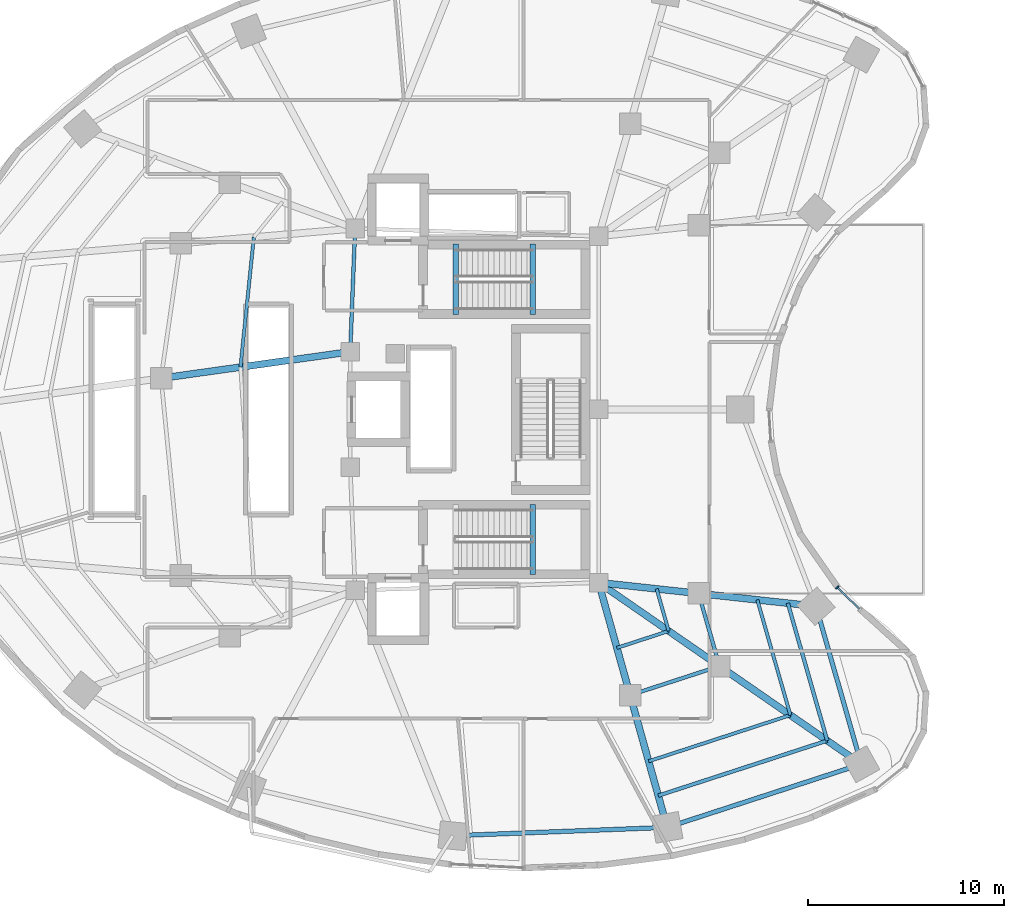
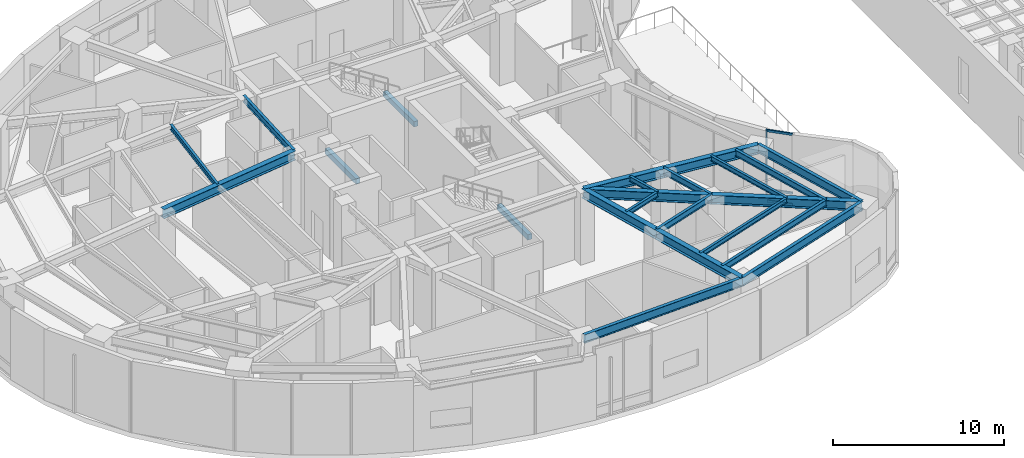
# One storey, part 4 of 19: 23 beams, 4 members, 1 element without a shape of its own.
"""IFC4 building model written with IfcOpenShell, lengths in metres."""

from ifc_helpers import new_model, si_unit, direction, frame, origin, origin_2d, place, context, subcontext, project, spatial, rectangle, i_section, extrude, material, layer, layer_set, material_profile, profile_set, type_object, element, aggregate, save


model = new_model("IFC4")

# Units and contexts
model_context = context("Model", 3, precision=1e-05, world=origin(), true_north=direction((0.0, 1.0)))
body_context = subcontext(model_context, "Body", "Model", "MODEL_VIEW")
ifc_project = project(units=[si_unit("LENGTHUNIT", "METRE"), si_unit("AREAUNIT", "SQUARE_METRE"), si_unit("VOLUMEUNIT", "CUBIC_METRE"), si_unit("PLANEANGLEUNIT", "RADIAN"), si_unit("MASSUNIT", "GRAM", prefix="KILO")], contexts=[model_context])

# Site, building, storey
site_placement = place(None, origin())
site = spatial("IfcSite", under=ifc_project, at=site_placement, CompositionType="ELEMENT")
building_placement = place(site_placement, origin())
building = spatial("IfcBuilding", under=site, at=building_placement, Name="Korentha Bioscience Tower", CompositionType="ELEMENT")
storey_placement = place(building_placement, frame((0.0, 0.0, 20.39990234375)))
storey = spatial("IfcBuildingStorey", under=building, at=storey_placement, Name="L04", CompositionType="ELEMENT", Elevation=20.39990234375)

# Beams
ifc_material_1 = material(Name="Concrete C50", Category="concrete")
ifc_material_profile_1 = material_profile(ifc_material_1, rectangle(XDim=0.280029296875, YDim=0.3798828125, at=origin_2d()), Name="Concrete C50")
ifc_profile_set_1 = profile_set([ifc_material_profile_1], Name="Concrete C50 (ST-HB380)")
beam_type_1 = type_object("IfcBeamType", Name="Concrete Stair Header Beam RC 280x380", PredefinedType="BEAM", material=ifc_profile_set_1)
for number, where, z_axis, x_axis, name in (
    (1, (30.25, 31.85009765625, -0.18994140625), (0.0, 1.0, 0.0), (-1.0, 0.0, 0.0), "L04 ST-1 Concrete Stair Header Beam"),
    (2, (34.169921875, 31.85009765625, 2.510009765625), (0.0, 1.0, 0.0), (-1.0, 0.0, 0.0), "L04 ST-1 Half-Landing Header Beam 1"),
    (3, (34.169921875, 18.550048828125, 2.510009765625), (0.0, 1.0, 0.0), (-1.0, 0.0, 0.0), "L04 ST-2 Half-Landing Header Beam 1"),
):
    element("IfcBeam", number, at=place(storey_placement, frame(where, z_axis=z_axis, x_axis=x_axis)), inside=storey, type_object=beam_type_1, Name=name, PredefinedType="BEAM", context=body_context, shape_type="SweptSolid", body=[
        extrude(rectangle(XDim=0.280029296875, YDim=0.3798828125, at=origin_2d()), origin(), (0.0, 0.0, 1.0), 3.599853515625),
    ])
ifc_material_2 = material(Name="Steel S355", Category="steel")
ifc_material_profile_2 = material_profile(ifc_material_2, i_section(OverallWidth=0.18994140625, OverallDepth=0.45703125, WebThickness=0.009033203125, FlangeThickness=0.014404296875, at=origin_2d()), Name="Steel S355")
ifc_profile_set_2 = profile_set([ifc_material_profile_2], Name="Steel S355 (MB-460)")
beam_type_2 = type_object("IfcBeamType", Name="Mid-Ring Tie Girder W460x74", PredefinedType="BEAM", material=ifc_profile_set_2)
beam_1_placement = place(storey_placement, frame((39.1611328125, 12.392333984375, 4.87158203125), z_axis=(0.950877001105, 0.309568940253, 0.0), x_axis=(-0.309568940253, 0.950877001105, 0.0)))
element("IfcBeam", 4, at=beam_1_placement, inside=storey, type_object=beam_type_2, Name="L04 Mid-Ring Tie Girder 12", PredefinedType="BEAM", context=body_context, shape_type="SweptSolid", body=[
    extrude(i_section(OverallWidth=0.18994140625, OverallDepth=0.45703125, WebThickness=0.009033203125, FlangeThickness=0.014404296875, at=origin_2d()), origin(), (0.0, 0.0, 1.0), 4.80126953125),
])
beam_2_placement = place(storey_placement, frame((43.7265625, 13.878662109375, 4.87158203125), z_axis=(-0.27560557792, 0.961270807535, 0.0), x_axis=(-0.961270807535, -0.27560557792, 0.0)))
element("IfcBeam", 5, at=beam_2_placement, inside=storey, type_object=beam_type_2, Name="L04 Mid-Ring Tie Girder 13", PredefinedType="BEAM", context=body_context, shape_type="SweptSolid", body=[
    extrude(i_section(OverallWidth=0.18994140625, OverallDepth=0.45703125, WebThickness=0.009033203125, FlangeThickness=0.014404296875, at=origin_2d()), origin(), (0.0, 0.0, 1.0), 3.864013671875),
])
beam_3_placement = place(storey_placement, frame((25.10009765625, 36.25, 4.87158203125), z_axis=(-0.039651025576, -0.999213588864, 0.0), x_axis=(0.999213588864, -0.039651025576, 0.0)))
element("IfcBeam", 6, at=beam_3_placement, inside=storey, type_object=beam_type_2, Name="L04 Core Ring Tie Girder 02", PredefinedType="BEAM", context=body_context, shape_type="SweptSolid", body=[
    extrude(i_section(OverallWidth=0.18994140625, OverallDepth=0.45703125, WebThickness=0.009033203125, FlangeThickness=0.014404296875, at=origin_2d()), origin(), (0.0, 0.0, 1.0), 6.304931640625),
])

# Curtain wall, member
ifc_material_3 = material(Name="Stone-Clad Aluminium Frame", Category="masonry")
ifc_layer = layer(ifc_material_3, 0.219970703125, Name="Stone-Clad Aluminium Frame")
ifc_layer_set = layer_set([ifc_layer], Name="Stone-Clad Aluminium Frame (CW-P1)")
curtain_wall_type = type_object("IfcCurtainWallType", Name="Podium Double-Height Stone-Mullion Curtain Wall CW-P1", PredefinedType="USERDEFINED", material=ifc_layer_set)
curtain_wall_placement = place(storey_placement, origin())
curtain_wall = element("IfcCurtainWall", 7, at=curtain_wall_placement, inside=storey, type_object=curtain_wall_type, Name="L04 Curtain Wall 43", ObjectType="UNITISED", PredefinedType="USERDEFINED")
ifc_material_4 = material(Name="Anodised Aluminium 6063-T6", Category="aluminium")
ifc_material_profile_3 = material_profile(ifc_material_4, rectangle(XDim=0.090087890625, YDim=0.199951171875, at=origin_2d()), Name="Anodised Aluminium 6063-T6")
ifc_profile_set_3 = profile_set([ifc_material_profile_3], Name="Anodised Aluminium 6063-T6 (CW-MUL)")
member_type_1 = type_object("IfcMemberType", Name="Mullion RECT 90x200", PredefinedType="MULLION", material=ifc_profile_set_3)
member_1_placement = place(storey_placement, frame((49.752685546875, 17.90625, 0.0), z_axis=(0.0, 0.0, 1.0), x_axis=(-0.713279246754, 0.700879958445, 0.0)))
member_1 = element("IfcMember", 8, at=member_1_placement, type_object=member_type_1, Name="CW-L04-43 Mullion 2", PredefinedType="MULLION", context=body_context, shape_type="SweptSolid", body=[
    extrude(rectangle(XDim=0.090087890625, YDim=0.199951171875, at=origin_2d()), origin(), (0.0, 0.0, 1.0), 5.10009765625),
])

# Beams
ifc_material_profile_4 = material_profile(ifc_material_2, i_section(OverallWidth=0.22802734375, OverallDepth=0.60791015625, WebThickness=0.01123046875, FlangeThickness=0.017333984375, at=origin_2d()), Name="Steel S355")
ifc_profile_set_4 = profile_set([ifc_material_profile_4], Name="Steel S355 (SB-610)")
beam_type_3 = type_object("IfcBeamType", Name="Perimeter Ring Spandrel Girder W610x113", PredefinedType="SPANDREL", material=ifc_profile_set_4)
beam_4_placement = place(storey_placement, frame((30.09423828125, 5.20751953125, 4.796142578125), z_axis=(0.999246003889, 0.03882555488, 0.0), x_axis=(-0.03882555488, 0.999246003889, 0.0)))
element("IfcBeam", 9, at=beam_4_placement, inside=storey, type_object=beam_type_3, Name="L04 Perimeter Spandrel Girder 11", PredefinedType="SPANDREL", context=body_context, shape_type="SweptSolid", body=[
    extrude(i_section(OverallWidth=0.22802734375, OverallDepth=0.60791015625, WebThickness=0.01123046875, FlangeThickness=0.017333984375, at=origin_2d()), origin(), (0.0, 0.0, 1.0), 10.966552734375),
])
beam_5_placement = place(storey_placement, frame((41.052490234375, 5.63330078125, 4.796142578125), z_axis=(0.95087511444, 0.309574735305, 0.0), x_axis=(-0.309574735305, 0.95087511444, 0.0)))
element("IfcBeam", 10, at=beam_5_placement, inside=storey, type_object=beam_type_3, Name="L04 Perimeter Spandrel Girder 12", PredefinedType="SPANDREL", context=body_context, shape_type="SweptSolid", body=[
    extrude(i_section(OverallWidth=0.22802734375, OverallDepth=0.60791015625, WebThickness=0.01123046875, FlangeThickness=0.017333984375, at=origin_2d()), origin(), (0.0, 0.0, 1.0), 10.4375),
])
beam_6_placement = place(storey_placement, frame((50.977294921875, 8.864501953125, 4.796142578125), z_axis=(-0.275642273411, 0.961260285827, 0.0), x_axis=(-0.961260285827, -0.275642273411, 0.0)))
element("IfcBeam", 11, at=beam_6_placement, inside=storey, type_object=beam_type_3, Name="L04 Perimeter Spandrel Girder 13", PredefinedType="SPANDREL", context=body_context, shape_type="SweptSolid", body=[
    extrude(i_section(OverallWidth=0.22802734375, OverallDepth=0.60791015625, WebThickness=0.01123046875, FlangeThickness=0.017333984375, at=origin_2d()), origin(), (0.0, 0.0, 1.0), 8.400146484375),
])
ifc_material_profile_5 = material_profile(ifc_material_2, i_section(OverallWidth=0.18994140625, OverallDepth=0.45703125, WebThickness=0.009033203125, FlangeThickness=0.014404296875, at=origin_2d()), Name="Steel S355")
ifc_profile_set_5 = profile_set([ifc_material_profile_5], Name="Steel S355 (RB-460)")
beam_type_4 = type_object("IfcBeamType", Name="Radial Laboratory Beam W460x74", PredefinedType="BEAM", material=ifc_profile_set_5)
beam_7_placement = place(storey_placement, frame((40.5986328125, 7.255615234375, 4.87158203125), z_axis=(0.95087437499, 0.309577006554, 0.0), x_axis=(-0.309577006554, 0.95087437499, 0.0)))
element("IfcBeam", 12, at=beam_7_placement, inside=storey, type_object=beam_type_4, Name="L04 Secondary Floor Beam JSTO-12", PredefinedType="BEAM", context=body_context, shape_type="SweptSolid", body=[
    extrude(i_section(OverallWidth=0.18994140625, OverallDepth=0.45703125, WebThickness=0.009033203125, FlangeThickness=0.014404296875, at=origin_2d()), origin(), (0.0, 0.0, 1.0), 9.0849609375),
])
beam_8_placement = place(storey_placement, frame((49.2373046875, 10.068115234375, 4.87158203125), z_axis=(-0.275682421415, 0.961248772443, 0.0), x_axis=(-0.961248772443, -0.275682421415, 0.0)))
element("IfcBeam", 13, at=beam_8_placement, inside=storey, type_object=beam_type_4, Name="L04 Secondary Floor Beam JSTO-13", PredefinedType="BEAM", context=body_context, shape_type="SweptSolid", body=[
    extrude(i_section(OverallWidth=0.18994140625, OverallDepth=0.45703125, WebThickness=0.009033203125, FlangeThickness=0.014404296875, at=origin_2d()), origin(), (0.0, 0.0, 1.0), 7.3115234375),
])
ifc_material_profile_6 = material_profile(ifc_material_2, i_section(OverallWidth=0.35009765625, OverallDepth=0.64990234375, WebThickness=0.01611328125, FlangeThickness=0.02490234375, at=origin_2d()), Name="Steel S355")
ifc_profile_set_6 = profile_set([ifc_material_profile_6], Name="Steel S355 (RB-650)")
beam_type_5 = type_object("IfcBeamType", Name="Radial Laboratory Girder CVS 650x208", PredefinedType="BEAM", material=ifc_profile_set_6)
beam_9_placement = place(storey_placement, frame((24.85009765625, 29.949951171875, 4.775146484375), z_axis=(-0.990307253072, -0.138894004596, 0.0), x_axis=(0.138894004596, -0.990307253072, 0.0)))
element("IfcBeam", 14, at=beam_9_placement, inside=storey, type_object=beam_type_5, Name="L04 Inner Radial Girder 07", PredefinedType="BEAM", context=body_context, shape_type="SweptSolid", body=[
    extrude(i_section(OverallWidth=0.35009765625, OverallDepth=0.64990234375, WebThickness=0.01611328125, FlangeThickness=0.02490234375, at=origin_2d()), origin(), (0.0, 0.0, 1.0), 9.76611328125),
])
beam_10_placement = place(storey_placement, frame((37.550048828125, 18.14990234375, 4.775146484375), z_axis=(0.269469369205, -0.963008961049, 0.0), x_axis=(0.963008961049, 0.269469369205, 0.0)))
element("IfcBeam", 15, at=beam_10_placement, inside=storey, type_object=beam_type_5, Name="L04 Inner Radial Girder 12", PredefinedType="BEAM", context=body_context, shape_type="SweptSolid", body=[
    extrude(i_section(OverallWidth=0.35009765625, OverallDepth=0.64990234375, WebThickness=0.01611328125, FlangeThickness=0.02490234375, at=origin_2d()), origin(), (0.0, 0.0, 1.0), 5.978759765625),
])
beam_11_placement = place(storey_placement, frame((39.1611328125, 12.392333984375, 4.775146484375), z_axis=(0.269475095129, -0.963007358801, 0.0), x_axis=(0.963007358801, 0.269475095129, 0.0)))
element("IfcBeam", 16, at=beam_11_placement, inside=storey, type_object=beam_type_5, Name="L04 Outer Radial Girder 12", PredefinedType="BEAM", context=body_context, shape_type="SweptSolid", body=[
    extrude(i_section(OverallWidth=0.35009765625, OverallDepth=0.64990234375, WebThickness=0.01611328125, FlangeThickness=0.02490234375, at=origin_2d()), origin(), (0.0, 0.0, 1.0), 7.0185546875),
])
beam_12_placement = place(storey_placement, frame((37.550048828125, 18.14990234375, 4.775146484375), z_axis=(0.822491697625, -0.568777115694, 0.0), x_axis=(0.568777115694, 0.822491697625, 0.0)))
element("IfcBeam", 17, at=beam_12_placement, inside=storey, type_object=beam_type_5, Name="L04 Inner Radial Girder 13", PredefinedType="BEAM", context=body_context, shape_type="SweptSolid", body=[
    extrude(i_section(OverallWidth=0.35009765625, OverallDepth=0.64990234375, WebThickness=0.01611328125, FlangeThickness=0.02490234375, at=origin_2d()), origin(), (0.0, 0.0, 1.0), 7.509521484375),
])
beam_13_placement = place(storey_placement, frame((43.7265625, 13.878662109375, 4.775146484375), z_axis=(0.822488186113, -0.568782193555, 0.0), x_axis=(0.568782193555, 0.822488186113, 0.0)))
element("IfcBeam", 18, at=beam_13_placement, inside=storey, type_object=beam_type_5, Name="L04 Outer Radial Girder 13", PredefinedType="BEAM", context=body_context, shape_type="SweptSolid", body=[
    extrude(i_section(OverallWidth=0.35009765625, OverallDepth=0.64990234375, WebThickness=0.01611328125, FlangeThickness=0.02490234375, at=origin_2d()), origin(), (0.0, 0.0, 1.0), 8.815673828125),
])
beam_14_placement = place(storey_placement, frame((37.550048828125, 18.14990234375, 4.775146484375), z_axis=(0.994117709144, -0.10830503389, 0.0), x_axis=(0.10830503389, 0.994117709144, 0.0)))
element("IfcBeam", 19, at=beam_14_placement, inside=storey, type_object=beam_type_5, Name="L04 Inner Radial Girder 14", PredefinedType="BEAM", context=body_context, shape_type="SweptSolid", body=[
    extrude(i_section(OverallWidth=0.35009765625, OverallDepth=0.64990234375, WebThickness=0.01611328125, FlangeThickness=0.02490234375, at=origin_2d()), origin(), (0.0, 0.0, 1.0), 5.141845703125),
])
beam_15_placement = place(storey_placement, frame((42.66162109375, 17.593017578125, 4.775146484375), z_axis=(0.994115805925, -0.108322501862, 0.0), x_axis=(0.108322501862, 0.994115805925, 0.0)))
element("IfcBeam", 20, at=beam_15_placement, inside=storey, type_object=beam_type_5, Name="L04 Outer Radial Girder 14", PredefinedType="BEAM", context=body_context, shape_type="SweptSolid", body=[
    extrude(i_section(OverallWidth=0.35009765625, OverallDepth=0.64990234375, WebThickness=0.01611328125, FlangeThickness=0.02490234375, at=origin_2d()), origin(), (0.0, 0.0, 1.0), 6.03564453125),
])
ifc_material_profile_7 = material_profile(ifc_material_2, i_section(OverallWidth=0.1708984375, OverallDepth=0.35498046875, WebThickness=0.007080078125, FlangeThickness=0.01171875, at=origin_2d()), Name="Steel S355")
ifc_profile_set_7 = profile_set([ifc_material_profile_7], Name="Steel S355 (JB-360)")
beam_type_6 = type_object("IfcBeamType", Name="Secondary Laboratory Joist W360x51", PredefinedType="JOIST", material=ifc_profile_set_7)
beam_16_placement = place(storey_placement, frame((19.9228515625, 35.80859375, 4.922607421875), z_axis=(-0.102144778597, -0.994769543264, 0.0), x_axis=(0.994769543264, -0.102144778597, 0.0)))
element("IfcBeam", 21, at=beam_16_placement, inside=storey, type_object=beam_type_6, Name="L04 Inner Bay Joist 06", PredefinedType="JOIST", context=body_context, shape_type="SweptSolid", body=[
    extrude(i_section(OverallWidth=0.1708984375, OverallDepth=0.35498046875, WebThickness=0.007080078125, FlangeThickness=0.01171875, at=origin_2d()), origin(), (0.0, 0.0, 1.0), 6.680419921875),
])
beam_17_placement = place(storey_placement, frame((40.10693359375, 9.0126953125, 4.922607421875), z_axis=(0.950870992772, 0.309587394938, 0.0), x_axis=(-0.309587394938, 0.950870992772, 0.0)))
element("IfcBeam", 22, at=beam_17_placement, inside=storey, type_object=beam_type_6, Name="L04 Secondary Floor Beam JST-12", PredefinedType="JOIST", context=body_context, shape_type="SweptSolid", body=[
    extrude(i_section(OverallWidth=0.1708984375, OverallDepth=0.35498046875, WebThickness=0.007080078125, FlangeThickness=0.01171875, at=origin_2d()), origin(), (0.0, 0.0, 1.0), 7.619384765625),
])
beam_18_placement = place(storey_placement, frame((38.484619140625, 14.810546875, 4.922607421875), z_axis=(0.950869630746, 0.309591578254, 0.0), x_axis=(-0.309591578254, 0.950869630746, 0.0)))
element("IfcBeam", 23, at=beam_18_placement, inside=storey, type_object=beam_type_6, Name="L04 Inner Bay Joist 12", PredefinedType="JOIST", context=body_context, shape_type="SweptSolid", body=[
    extrude(i_section(OverallWidth=0.1708984375, OverallDepth=0.35498046875, WebThickness=0.007080078125, FlangeThickness=0.01171875, at=origin_2d()), origin(), (0.0, 0.0, 1.0), 2.784423828125),
])
beam_19_placement = place(storey_placement, frame((47.35205078125, 11.37158203125, 4.922607421875), z_axis=(-0.275667500387, 0.96125305161, 0.0), x_axis=(-0.96125305161, -0.275667500387, 0.0)))
element("IfcBeam", 24, at=beam_19_placement, inside=storey, type_object=beam_type_6, Name="L04 Secondary Floor Beam JST-13", PredefinedType="JOIST", context=body_context, shape_type="SweptSolid", body=[
    extrude(i_section(OverallWidth=0.1708984375, OverallDepth=0.35498046875, WebThickness=0.007080078125, FlangeThickness=0.01171875, at=origin_2d()), origin(), (0.0, 0.0, 1.0), 6.132080078125),
])
beam_20_placement = place(storey_placement, frame((41.13232421875, 15.672607421875, 4.922607421875), z_axis=(-0.275613067773, 0.961268660091, 0.0), x_axis=(-0.961268660091, -0.275613067773, 0.0)))
element("IfcBeam", 25, at=beam_20_placement, inside=storey, type_object=beam_type_6, Name="L04 Inner Bay Joist 13", PredefinedType="JOIST", context=body_context, shape_type="SweptSolid", body=[
    extrude(i_section(OverallWidth=0.1708984375, OverallDepth=0.35498046875, WebThickness=0.007080078125, FlangeThickness=0.01171875, at=origin_2d()), origin(), (0.0, 0.0, 1.0), 2.2412109375),
])

# Member
ifc_material_profile_8 = material_profile(ifc_material_4, rectangle(XDim=0.090087890625, YDim=0.159912109375, at=origin_2d()), Name="Anodised Aluminium 6063-T6")
ifc_profile_set_8 = profile_set([ifc_material_profile_8], Name="Anodised Aluminium 6063-T6 (CW-TRN)")
member_type_2 = type_object("IfcMemberType", Name="Transom RECT 90x160", PredefinedType="USERDEFINED", material=ifc_profile_set_8)
member_2_placement = place(storey_placement, frame((50.8818359375, 16.796875, 0.045166015625), z_axis=(-0.713350356322, 0.700807583531, 0.0), x_axis=(-0.700807583531, -0.713350356322, 0.0)))
member_2 = element("IfcMember", 26, at=member_2_placement, type_object=member_type_2, Name="CW-L04-43 Bay 1 Transom 1", ObjectType="TRANSOM", PredefinedType="USERDEFINED", context=body_context, shape_type="SweptSolid", body=[
    extrude(rectangle(XDim=0.090087890625, YDim=0.159912109375, at=origin_2d()), origin(), (0.0, 0.0, 1.0), 1.53759765625),
])

member_3_placement = place(storey_placement, frame((50.8818359375, 16.796875, 0.85009765625), z_axis=(-0.713350356322, 0.700807583531, 0.0), x_axis=(-0.700807583531, -0.713350356322, 0.0)))
member_3 = element("IfcMember", 27, at=member_3_placement, type_object=member_type_2, Name="CW-L04-43 Bay 1 Transom 2", ObjectType="TRANSOM", PredefinedType="USERDEFINED", context=body_context, shape_type="SweptSolid", body=[
    extrude(rectangle(XDim=0.090087890625, YDim=0.159912109375, at=origin_2d()), origin(), (0.0, 0.0, 1.0), 1.53759765625),
])

member_4_placement = place(storey_placement, frame((50.8818359375, 16.796875, 5.05517578125), z_axis=(-0.713350356322, 0.700807583531, 0.0), x_axis=(-0.700807583531, -0.713350356322, 0.0)))
member_4 = element("IfcMember", 28, at=member_4_placement, type_object=member_type_2, Name="CW-L04-43 Bay 1 Transom 3", ObjectType="TRANSOM", PredefinedType="USERDEFINED", context=body_context, shape_type="SweptSolid", body=[
    extrude(rectangle(XDim=0.090087890625, YDim=0.159912109375, at=origin_2d()), origin(), (0.0, 0.0, 1.0), 1.53759765625),
])

aggregate(curtain_wall, [member_1, member_2, member_3, member_4])

save(model, "model.ifc")
